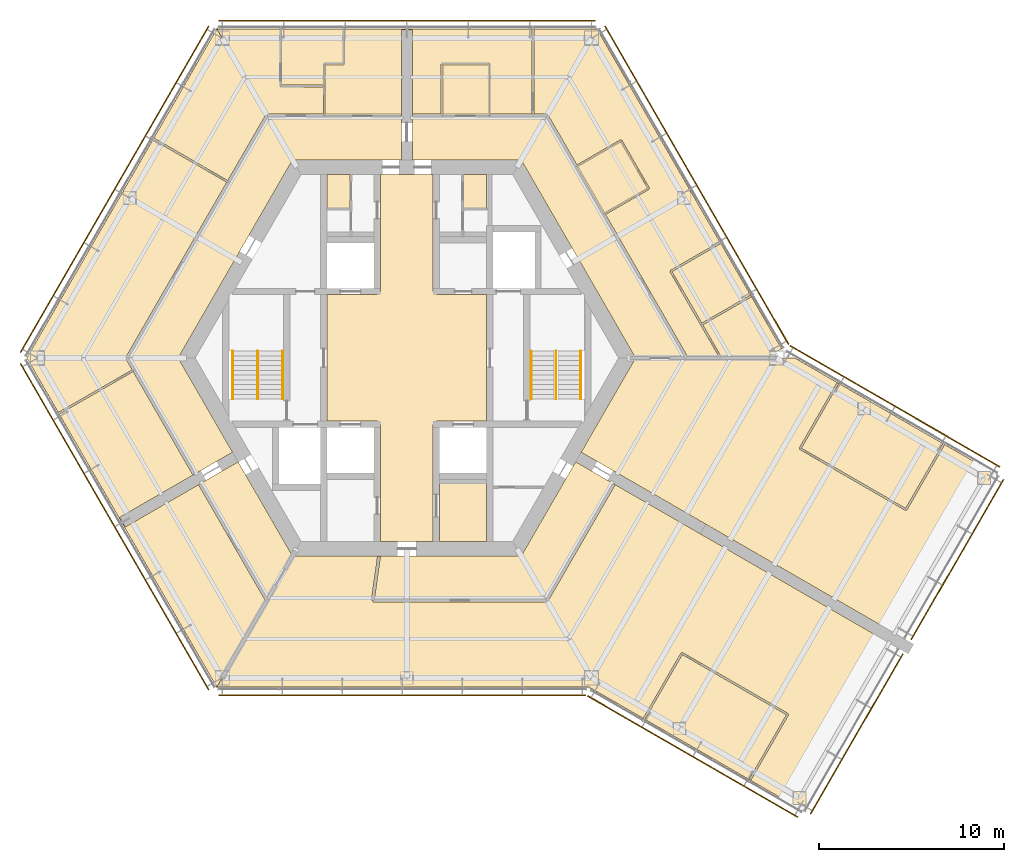
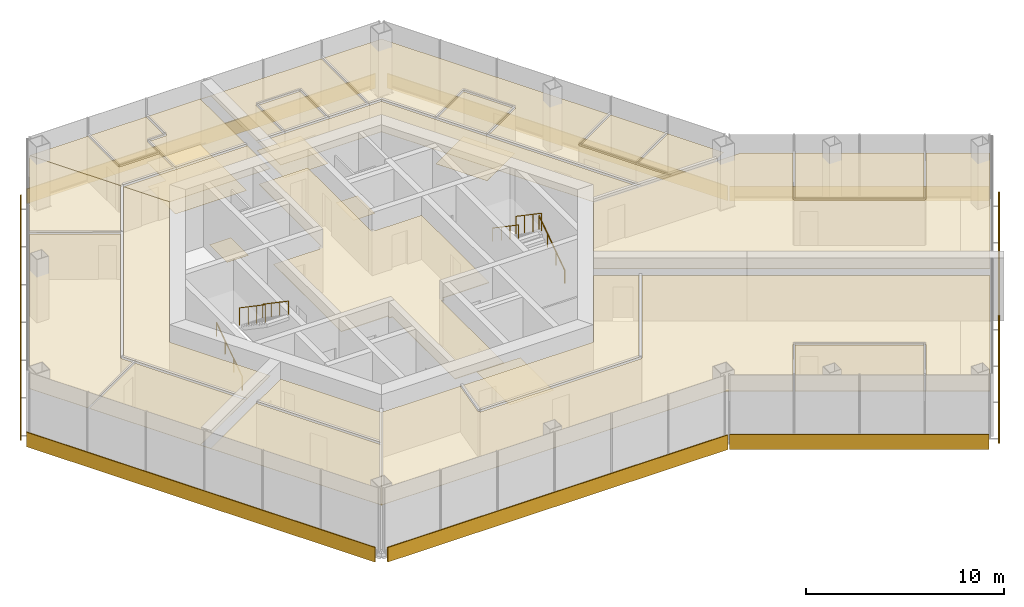
# One storey, part 14 of 14: 29 coverings, 9 shading devices, 6 railings.
"""IFC4 building model written with IfcOpenShell, lengths in metres."""

from ifc_helpers import new_model, si_unit, direction, frame, origin, origin_2d, place, context, subcontext, project, spatial, polyline, rectangle, circle, outline, extrude, material, layer, layer_set, type_object, element, save


model = new_model("IFC4")

# Units and contexts
model_context = context("Model", 3, precision=1e-05, world=origin(), true_north=direction((0.0, 1.0)))
body_context = subcontext(model_context, "Body", "Model", "MODEL_VIEW")
ifc_project = project(units=[si_unit("LENGTHUNIT", "METRE"), si_unit("AREAUNIT", "SQUARE_METRE"), si_unit("VOLUMEUNIT", "CUBIC_METRE"), si_unit("PLANEANGLEUNIT", "RADIAN"), si_unit("MASSUNIT", "GRAM", prefix="KILO")], contexts=[model_context])

# Site, building, storey
site_placement = place(None, origin())
site = spatial("IfcSite", under=ifc_project, at=site_placement, CompositionType="ELEMENT")
building_placement = place(site_placement, origin())
building = spatial("IfcBuilding", under=site, at=building_placement, Name="Kasaneha Research Tower", CompositionType="ELEMENT")
storey_placement = place(building_placement, frame((0.0, 0.0, 216.699951171875)))
storey = spatial("IfcBuildingStorey", under=building, at=storey_placement, Name="L54", CompositionType="ELEMENT", Elevation=216.699951171875)

# Covering
ifc_material_1 = material(Name="Aluminium panel ceiling", Category="aluminium")
ifc_layer_1 = layer(ifc_material_1, 0.0400390625)
ifc_layer_set_1 = layer_set([ifc_layer_1], Name="Lift lobby ceiling 40")
covering_type_1 = type_object("IfcCoveringType", Name="Lift lobby ceiling 40", PredefinedType="CEILING", material=ifc_layer_set_1)
covering_1_placement = place(storey_placement, frame((0.0, 0.0, 2.699951171875)))
element("IfcCovering", 1, at=covering_1_placement, inside=storey, type_object=covering_type_1, Name="Ceiling L54-01", PredefinedType="CEILING", context=body_context, shape_type="SweptSolid", body=[
    extrude(outline(polyline([(1.425048828125, 9.925048828125), (1.425048828125, 3.60009765625), (1.60009765625, 3.60009765625), (1.60009765625, 3.425048828125), (4.324951171875, 3.425048828125), (4.324951171875, -3.425048828125), (1.60009765625, -3.425048828125), (1.60009765625, -3.60009765625), (1.425048828125, -3.60009765625), (1.425048828125, -9.925048828125), (-1.425048828125, -9.925048828125), (-1.425048828125, -3.60009765625), (-1.60009765625, -3.60009765625), (-1.60009765625, -3.425048828125), (-4.324951171875, -3.425048828125), (-4.324951171875, 3.425048828125), (-1.60009765625, 3.425048828125), (-1.60009765625, 3.60009765625), (-1.425048828125, 3.60009765625), (-1.425048828125, 9.925048828125), (1.425048828125, 9.925048828125)])), origin(), (0.0, 0.0, 1.0), 0.0400390625),
])

# Railings
ifc_material_2 = material(Name="Steel", Category="steel")
railing_type_1 = type_object("IfcRailingType", Name="Stair balustrade 1100", PredefinedType="GUARDRAIL", material=ifc_material_2)
for number, where, name in (
    (2, (8.074951171875, 0.375, 2.12744140625), "Stair 1 balustrade L54"),
    (3, (-8.074951171875, 0.375, 2.12744140625), "Stair 2 balustrade L54"),
):
    element("IfcRailing", number, at=place(storey_placement, frame(where)), inside=storey, type_object=railing_type_1, Name=name, PredefinedType="GUARDRAIL", context=body_context, shape_type="SweptSolid", body=[
        extrude(circle(Radius=0.02392578125, at=origin_2d()), frame((0.0, 0.0, 1.076171875), z_axis=(0.0, -0.826240473404, 0.563317565952), x_axis=(1.0, 0.0, 0.0)), (0.0, 0.0, 1.0), 3.14697265625),
        extrude(circle(Radius=0.02099609375, at=origin_2d()), origin(), (0.0, 0.0, 1.0), 1.052001953125),
        extrude(circle(Radius=0.02099609375, at=origin_2d()), frame((0.0, -0.86669921875, 0.5908203125)), (0.0, 0.0, 1.0), 1.052001953125),
        extrude(circle(Radius=0.02099609375, at=origin_2d()), frame((0.0, -1.7333984375, 1.181884765625)), (0.0, 0.0, 1.0), 1.052001953125),
        extrude(circle(Radius=0.02099609375, at=origin_2d()), frame((0.0, -2.60009765625, 1.772705078125)), (0.0, 0.0, 1.0), 1.052001953125),
    ])
ifc_material_3 = material(Name="Steel", Category="steel")
railing_type_2 = type_object("IfcRailingType", Name="Stair handrail 850", PredefinedType="HANDRAIL", material=ifc_material_3)
railing_1_placement = place(storey_placement, frame((9.425048828125, -2.22509765625, 0.17724609375)))
element("IfcRailing", 4, at=railing_1_placement, inside=storey, type_object=railing_type_2, Name="Stair 1 handrail L54", PredefinedType="HANDRAIL", context=body_context, shape_type="SweptSolid", body=[
    extrude(circle(Radius=0.02392578125, at=origin_2d()), frame((0.0, 0.0, 0.826171875), z_axis=(0.0, 0.826240473404, 0.563317565952), x_axis=(-1.0, 0.0, 0.0)), (0.0, 0.0, 1.0), 3.14697265625),
    extrude(circle(Radius=0.02099609375, at=origin_2d()), origin(), (0.0, 0.0, 1.0), 0.802001953125),
    extrude(circle(Radius=0.02099609375, at=origin_2d()), frame((0.0, 0.86669921875, 0.5908203125)), (0.0, 0.0, 1.0), 0.802001953125),
    extrude(circle(Radius=0.02099609375, at=origin_2d()), frame((0.0, 1.7333984375, 1.181884765625)), (0.0, 0.0, 1.0), 0.802001953125),
    extrude(circle(Radius=0.02099609375, at=origin_2d()), frame((0.0, 2.60009765625, 1.772705078125)), (0.0, 0.0, 1.0), 0.802001953125),
])
railing_2_placement = place(storey_placement, frame((6.72509765625, 0.375, 2.12744140625)))
element("IfcRailing", 5, at=railing_2_placement, inside=storey, type_object=railing_type_2, Name="Stair 1 handrail L54", PredefinedType="HANDRAIL", context=body_context, shape_type="SweptSolid", body=[
    extrude(circle(Radius=0.02392578125, at=origin_2d()), frame((0.0, 0.0, 0.826171875), z_axis=(0.0, -0.826240473404, 0.563317565952), x_axis=(1.0, 0.0, 0.0)), (0.0, 0.0, 1.0), 3.14697265625),
    extrude(circle(Radius=0.02099609375, at=origin_2d()), origin(), (0.0, 0.0, 1.0), 0.802001953125),
    extrude(circle(Radius=0.02099609375, at=origin_2d()), frame((0.0, -0.86669921875, 0.5908203125)), (0.0, 0.0, 1.0), 0.802001953125),
    extrude(circle(Radius=0.02099609375, at=origin_2d()), frame((0.0, -1.7333984375, 1.181884765625)), (0.0, 0.0, 1.0), 0.802001953125),
    extrude(circle(Radius=0.02099609375, at=origin_2d()), frame((0.0, -2.60009765625, 1.772705078125)), (0.0, 0.0, 1.0), 0.802001953125),
])
railing_3_placement = place(storey_placement, frame((-9.425048828125, -2.22509765625, 0.17724609375)))
element("IfcRailing", 6, at=railing_3_placement, inside=storey, type_object=railing_type_2, Name="Stair 2 handrail L54", PredefinedType="HANDRAIL", context=body_context, shape_type="SweptSolid", body=[
    extrude(circle(Radius=0.02392578125, at=origin_2d()), frame((0.0, 0.0, 0.826171875), z_axis=(0.0, 0.826240473404, 0.563317565952), x_axis=(-1.0, 0.0, 0.0)), (0.0, 0.0, 1.0), 3.14697265625),
    extrude(circle(Radius=0.02099609375, at=origin_2d()), origin(), (0.0, 0.0, 1.0), 0.802001953125),
    extrude(circle(Radius=0.02099609375, at=origin_2d()), frame((0.0, 0.86669921875, 0.5908203125)), (0.0, 0.0, 1.0), 0.802001953125),
    extrude(circle(Radius=0.02099609375, at=origin_2d()), frame((0.0, 1.7333984375, 1.181884765625)), (0.0, 0.0, 1.0), 0.802001953125),
    extrude(circle(Radius=0.02099609375, at=origin_2d()), frame((0.0, 2.60009765625, 1.772705078125)), (0.0, 0.0, 1.0), 0.802001953125),
])
railing_4_placement = place(storey_placement, frame((-6.72509765625, 0.375, 2.12744140625)))
element("IfcRailing", 7, at=railing_4_placement, inside=storey, type_object=railing_type_2, Name="Stair 2 handrail L54", PredefinedType="HANDRAIL", context=body_context, shape_type="SweptSolid", body=[
    extrude(circle(Radius=0.02392578125, at=origin_2d()), frame((0.0, 0.0, 0.826171875), z_axis=(0.0, -0.826240473404, 0.563317565952), x_axis=(1.0, 0.0, 0.0)), (0.0, 0.0, 1.0), 3.14697265625),
    extrude(circle(Radius=0.02099609375, at=origin_2d()), origin(), (0.0, 0.0, 1.0), 0.802001953125),
    extrude(circle(Radius=0.02099609375, at=origin_2d()), frame((0.0, -0.86669921875, 0.5908203125)), (0.0, 0.0, 1.0), 0.802001953125),
    extrude(circle(Radius=0.02099609375, at=origin_2d()), frame((0.0, -1.7333984375, 1.181884765625)), (0.0, 0.0, 1.0), 0.802001953125),
    extrude(circle(Radius=0.02099609375, at=origin_2d()), frame((0.0, -2.60009765625, 1.772705078125)), (0.0, 0.0, 1.0), 0.802001953125),
])

# Coverings
ifc_material_4 = material(Name="Gypsum ceiling board", Category="gypsum")
ifc_layer_2 = layer(ifc_material_4, 0.02001953125)
ifc_layer_set_2 = layer_set([ifc_layer_2], Name="Suspended ceiling 20")
covering_type_2 = type_object("IfcCoveringType", Name="Suspended ceiling 20", PredefinedType="CEILING", material=ifc_layer_set_2)
covering_2_placement = place(storey_placement, frame((0.0, 0.0, 2.800048828125)))
element("IfcCovering", 8, at=covering_2_placement, inside=storey, type_object=covering_type_2, Name="Ceiling L54-27", PredefinedType="CEILING", context=body_context, shape_type="SweptSolid", body=[
    extrude(outline(polyline([(6.192138671875, 10.72509765625), (0.300048828125, 10.72509765625), (0.300048828125, 11.72509765625), (0.300048828125, 12.72509765625), (0.300048828125, 13.125), (0.320068359375, 13.125), (0.320068359375, 13.050048828125), (1.89501953125, 13.050048828125), (1.905029296875, 13.050048828125), (4.4599609375, 13.050048828125), (4.469970703125, 13.050048828125), (6.826416015625, 13.050048828125), (6.8359375, 13.050048828125), (7.534423828125, 13.050048828125), (9.103759765625, 10.33154296875), (9.103759765625, 10.33154296875), (10.599365234375, 7.7412109375), (10.599365234375, 7.7412109375), (15.06884765625, 0.0), (12.38427734375, 0.0), (6.192138671875, 10.72509765625)])), origin(), (0.0, 0.0, 1.0), 0.02001953125),
])
covering_3_placement = place(storey_placement, frame((0.0, 0.0, 2.800048828125)))
element("IfcCovering", 9, at=covering_3_placement, inside=storey, type_object=covering_type_2, Name="Ceiling L54-28", PredefinedType="CEILING", context=body_context, shape_type="SweptSolid", body=[
    extrude(outline(polyline([(4.41015625, 13.199951171875), (1.954833984375, 13.199951171875), (1.9501953125, 15.875), (4.414794921875, 15.875), (4.41015625, 13.199951171875)])), origin(), (0.0, 0.0, 1.0), 0.02001953125),
])
covering_4_placement = place(storey_placement, frame((0.0, 0.0, 2.800048828125)))
element("IfcCovering", 10, at=covering_4_placement, inside=storey, type_object=covering_type_2, Name="Ceiling L54-29", PredefinedType="CEILING", context=body_context, shape_type="SweptSolid", body=[
    extrude(outline(polyline([(9.2587890625, 10.363525390625), (11.5732421875, 11.70458984375), (13.023193359375, 9.193359375), (10.704345703125, 7.859619140625), (9.2587890625, 10.363525390625)])), origin(), (0.0, 0.0, 1.0), 0.02001953125),
])
covering_5_placement = place(storey_placement, frame((0.0, 0.0, 2.800048828125)))
element("IfcCovering", 11, at=covering_5_placement, inside=storey, type_object=covering_type_2, Name="Ceiling L54-30", PredefinedType="CEILING", context=body_context, shape_type="SweptSolid", body=[
    extrude(outline(polyline([(6.8310546875, 17.820556640625), (6.8310546875, 17.800537109375), (6.781005859375, 17.800537109375), (6.776611328125, 13.199951171875), (4.510009765625, 13.199951171875), (4.514892578125, 15.9248046875), (4.465087890625, 15.925048828125), (4.465087890625, 15.97509765625), (1.89990234375, 15.97509765625), (1.89990234375, 15.925048828125), (1.85009765625, 15.9248046875), (1.85498046875, 13.199951171875), (0.320068359375, 13.199951171875), (0.320068359375, 13.125), (0.300048828125, 13.125), (0.300048828125, 17.7705078125), (0.300048828125, 17.7705078125), (0.0, 17.7705078125), (0.0, 17.820556640625), (6.8310546875, 17.820556640625)])), origin(), (0.0, 0.0, 1.0), 0.02001953125),
])
covering_6_placement = place(storey_placement, frame((0.0, 0.0, 2.800048828125)))
element("IfcCovering", 12, at=covering_6_placement, inside=storey, type_object=covering_type_2, Name="Ceiling L54-31", PredefinedType="CEILING", context=body_context, shape_type="SweptSolid", body=[
    extrude(outline(polyline([(18.63720703125, 3.360595703125), (18.619873046875, 3.3505859375), (18.594970703125, 3.393798828125), (15.97216796875, 1.88525390625), (14.35546875, 4.677001953125), (16.99658203125, 6.201904296875), (18.63720703125, 3.360595703125)])), origin(), (0.0, 0.0, 1.0), 0.02001953125),
])
covering_7_placement = place(storey_placement, frame((0.0, 0.0, 2.800048828125)))
element("IfcCovering", 13, at=covering_7_placement, inside=storey, type_object=covering_type_2, Name="Ceiling L54-32", PredefinedType="CEILING", context=body_context, shape_type="SweptSolid", body=[
    extrude(outline(polyline([(20.28759765625, 0.501708984375), (19.41845703125, 0.0), (16.997802734375, 0.0), (16.986328125, 0.02001953125), (17.029541015625, 0.044921875), (16.022216796875, 1.798583984375), (18.644775390625, 3.30712890625), (18.619873046875, 3.3505859375), (18.63720703125, 3.360595703125), (20.28759765625, 0.501708984375)])), origin(), (0.0, 0.0, 1.0), 0.02001953125),
])
covering_8_placement = place(storey_placement, frame((0.0, 0.0, 2.800048828125)))
element("IfcCovering", 14, at=covering_8_placement, inside=storey, type_object=covering_type_2, Name="Ceiling L54-33", PredefinedType="CEILING", context=body_context, shape_type="SweptSolid", body=[
    extrude(outline(polyline([(11.591796875, 11.7734375), (11.59130859375, 11.773193359375), (11.56640625, 11.816162109375), (9.208740234375, 10.449951171875), (7.642578125, 13.16259765625), (7.578125, 13.125244140625), (7.578125, 13.125244140625), (7.57763671875, 13.125244140625), (7.57763671875, 13.199951171875), (6.87646484375, 13.199951171875), (6.880859375, 17.800537109375), (6.83154296875, 17.800537109375), (6.83154296875, 17.820556640625), (10.28857421875, 17.820556640625), (16.94677734375, 6.28857421875), (14.261962890625, 4.738525390625), (14.286865234375, 4.695556640625), (14.28662109375, 4.6953125), (14.28662109375, 4.695068359375), (14.24365234375, 4.670166015625), (15.9130859375, 1.787841796875), (16.93994140625, 0.0), (15.156005859375, 0.0), (15.144287109375, 0.020263671875), (15.208740234375, 0.0576171875), (10.75439453125, 7.77294921875), (13.116455078125, 9.131591796875), (13.091552734375, 9.1748046875), (13.134765625, 9.199951171875), (11.634765625, 11.798095703125), (11.591796875, 11.773193359375), (11.591796875, 11.7734375)])), origin(), (0.0, 0.0, 1.0), 0.02001953125),
])
covering_9_placement = place(storey_placement, frame((0.0, 0.0, 2.800048828125)))
element("IfcCovering", 15, at=covering_9_placement, inside=storey, type_object=covering_type_2, Name="Ceiling L54-34", PredefinedType="CEILING", context=body_context, shape_type="SweptSolid", body=[
    extrude(outline(polyline([(-0.300048828125, 11.72509765625), (-0.300048828125, 10.72509765625), (-6.192138671875, 10.72509765625), (-7.534423828125, 13.050048828125), (-4.469970703125, 13.050048828125), (-4.46044921875, 13.050048828125), (-0.320068359375, 13.050048828125), (-0.320068359375, 13.125), (-0.300048828125, 13.125), (-0.300048828125, 12.72509765625), (-0.300048828125, 11.72509765625)])), origin(), (0.0, 0.0, 1.0), 0.02001953125),
])
covering_10_placement = place(storey_placement, frame((0.0, 0.0, 2.800048828125)))
element("IfcCovering", 16, at=covering_10_placement, inside=storey, type_object=covering_type_2, Name="Ceiling L54-35", PredefinedType="CEILING", context=body_context, shape_type="SweptSolid", body=[
    extrude(outline(polyline([(0.000244140625, 17.82080078125), (0.0, 17.7705078125), (-0.300048828125, 17.7705078125), (-0.300048828125, 13.125244140625), (-0.320068359375, 13.125244140625), (-0.320068359375, 13.199951171875), (-4.41064453125, 13.199951171875), (-4.4150390625, 14.72509765625), (-4.4150390625, 15.875), (-3.4150390625, 15.875), (-3.4150390625, 15.925048828125), (-3.4150390625, 15.925048828125), (-3.4150390625, 15.925048828125), (-3.364990234375, 15.925048828125), (-3.365234375, 17.800537109375), (-3.415283203125, 17.800537109375), (-3.415283203125, 17.821044921875), (0.000244140625, 17.82080078125)])), origin(), (0.0, 0.0, 1.0), 0.02001953125),
])
covering_11_placement = place(storey_placement, frame((0.0, 0.0, 2.800048828125)))
element("IfcCovering", 17, at=covering_11_placement, inside=storey, type_object=covering_type_2, Name="Ceiling L54-36", PredefinedType="CEILING", context=body_context, shape_type="SweptSolid", body=[
    extrude(outline(polyline([(-3.41552734375, 17.820556640625), (-3.41552734375, 17.800537109375), (-3.465087890625, 17.800537109375), (-3.465087890625, 15.97509765625), (-4.465087890625, 15.97509765625), (-4.465087890625, 15.925048828125), (-4.514892578125, 15.925048828125), (-4.514892578125, 14.77490234375), (-6.781005859375, 14.7705078125), (-6.781005859375, 17.800537109375), (-6.8310546875, 17.800537109375), (-6.8310546875, 17.820556640625), (-3.41552734375, 17.820556640625)])), origin(), (0.0, 0.0, 1.0), 0.02001953125),
])
covering_12_placement = place(storey_placement, frame((0.0, 0.0, 2.800048828125)))
element("IfcCovering", 18, at=covering_12_placement, inside=storey, type_object=covering_type_2, Name="Ceiling L54-37", PredefinedType="CEILING", context=body_context, shape_type="SweptSolid", body=[
    extrude(outline(polyline([(-6.83154296875, 17.800537109375), (-6.880859375, 17.800537109375), (-6.880859375, 14.720458984375), (-6.831298828125, 14.720458984375), (-6.831298828125, 14.72021484375), (-6.830810546875, 14.72021484375), (-6.830810546875, 14.67041015625), (-4.514892578125, 14.6748046875), (-4.5107421875, 13.199951171875), (-7.5546875, 13.199951171875), (-7.5546875, 13.12548828125), (-7.577880859375, 13.12548828125), (-10.28857421875, 17.820556640625), (-6.83154296875, 17.820556640625), (-6.83154296875, 17.800537109375)])), origin(), (0.0, 0.0, 1.0), 0.02001953125),
])
covering_13_placement = place(storey_placement, frame((0.0, 0.0, 2.800048828125)))
element("IfcCovering", 19, at=covering_13_placement, inside=storey, type_object=covering_type_2, Name="Ceiling L54-38", PredefinedType="CEILING", context=body_context, shape_type="SweptSolid", body=[
    extrude(outline(polyline([(-12.38427734375, 0.0), (-9.438232421875, -5.102783203125), (-10.30419921875, -5.602783203125), (-10.30419921875, -5.602783203125), (-11.170166015625, -6.102783203125), (-11.170166015625, -6.102783203125), (-11.5166015625, -6.302734375), (-11.526611328125, -6.285400390625), (-11.461669921875, -6.247802734375), (-14.71484375, -0.613037109375), (-14.71484375, -0.613037109375), (-15.06884765625, 0.0), (-9.596435546875, 9.478515625), (-9.596435546875, 9.478515625), (-7.534423828125, 13.050048828125), (-7.534423828125, 13.050048828125), (-6.192138671875, 10.72509765625), (-12.38427734375, 0.0)])), origin(), (0.0, 0.0, 1.0), 0.02001953125),
])
covering_14_placement = place(storey_placement, frame((0.0, 0.0, 2.800048828125)))
element("IfcCovering", 20, at=covering_14_placement, inside=storey, type_object=covering_type_2, Name="Ceiling L54-39", PredefinedType="CEILING", context=body_context, shape_type="SweptSolid", body=[
    extrude(outline(polyline([(-7.577392578125, 13.12548828125), (-7.58935546875, 13.10498046875), (-7.654296875, 13.142578125), (-9.696533203125, 9.60498046875), (-13.7001953125, 11.911376953125), (-10.288330078125, 17.821044921875), (-7.577392578125, 13.12548828125)])), origin(), (0.0, 0.0, 1.0), 0.02001953125),
])
covering_15_placement = place(storey_placement, frame((0.0, 0.0, 2.800048828125)))
element("IfcCovering", 21, at=covering_15_placement, inside=storey, type_object=covering_type_2, Name="Ceiling L54-40", PredefinedType="CEILING", context=body_context, shape_type="SweptSolid", body=[
    extrude(outline(polyline([(-15.539794921875, -8.62548828125), (-15.3896484375, -8.88525390625), (-15.43310546875, -8.91015625), (-18.823486328125, -3.037841796875), (-14.81982421875, -0.7314453125), (-11.591552734375, -6.322998046875), (-11.526611328125, -6.285400390625), (-11.5166015625, -6.302734375), (-15.539794921875, -8.62548828125), (-15.539794921875, -8.62548828125), (-15.539794921875, -8.62548828125)])), origin(), (0.0, 0.0, 1.0), 0.02001953125),
])
covering_16_placement = place(storey_placement, frame((0.0, 0.0, 2.800048828125)))
element("IfcCovering", 22, at=covering_16_placement, inside=storey, type_object=covering_type_2, Name="Ceiling L54-41", PredefinedType="CEILING", context=body_context, shape_type="SweptSolid", body=[
    extrude(outline(polyline([(-15.156005859375, 0.000244140625), (-15.15576171875, -0.000244140625), (-15.220458984375, -0.03759765625), (-14.869873046875, -0.644775390625), (-18.87353515625, -2.951171875), (-20.577392578125, 0.0), (-13.750244140625, 11.82470703125), (-9.74658203125, 9.5185546875), (-15.220458984375, 0.03759765625), (-15.15576171875, 0.000244140625), (-15.156005859375, 0.000244140625)])), origin(), (0.0, 0.0, 1.0), 0.02001953125),
])
covering_17_placement = place(storey_placement, frame((0.0, 0.0, 2.800048828125)))
element("IfcCovering", 23, at=covering_17_placement, inside=storey, type_object=covering_type_2, Name="Ceiling L54-42", PredefinedType="CEILING", context=body_context, shape_type="SweptSolid", body=[
    extrude(outline(polyline([(-10.8701171875, -6.622314453125), (-10.004150390625, -6.122314453125), (-10.004150390625, -6.122314453125), (-9.13818359375, -5.622314453125), (-6.192138671875, -10.72509765625), (-7.534423828125, -13.050048828125), (-11.1416015625, -6.802001953125), (-11.20654296875, -6.839599609375), (-11.216552734375, -6.822265625), (-10.8701171875, -6.622314453125), (-10.8701171875, -6.622314453125)])), origin(), (0.0, 0.0, 1.0), 0.02001953125),
])
covering_18_placement = place(storey_placement, frame((0.0, 0.0, 2.800048828125)))
element("IfcCovering", 24, at=covering_18_placement, inside=storey, type_object=covering_type_2, Name="Ceiling L54-43", PredefinedType="CEILING", context=body_context, shape_type="SweptSolid", body=[
    extrude(outline(polyline([(-11.20703125, -6.83984375), (-11.271484375, -6.877197265625), (-7.654296875, -13.142578125), (-7.589599609375, -13.105224609375), (-7.577880859375, -13.12548828125), (-10.28857421875, -17.820556640625), (-15.43310546875, -8.91015625), (-15.3896484375, -8.88525390625), (-15.23974609375, -9.14501953125), (-15.23974609375, -9.14501953125), (-15.23974609375, -9.14501953125), (-11.217041015625, -6.822509765625), (-11.20703125, -6.83984375)])), origin(), (0.0, 0.0, 1.0), 0.02001953125),
])
covering_19_placement = place(storey_placement, frame((0.0, 0.0, 2.800048828125)))
element("IfcCovering", 25, at=covering_19_placement, inside=storey, type_object=covering_type_2, Name="Ceiling L54-44", PredefinedType="CEILING", context=body_context, shape_type="SweptSolid", body=[
    extrude(outline(polyline([(29.03173828125, -4.63720703125), (27.006591796875, -8.14453125), (21.360595703125, -4.884765625), (23.37548828125, -1.39453125), (23.332275390625, -1.36962890625), (23.34228515625, -1.352294921875), (29.03173828125, -4.63720703125)])), origin(), (0.0, 0.0, 1.0), 0.02001953125),
])
covering_20_placement = place(storey_placement, frame((0.0, 0.0, 2.800048828125)))
element("IfcCovering", 26, at=covering_20_placement, inside=storey, type_object=covering_type_2, Name="Ceiling L54-45", PredefinedType="CEILING", context=body_context, shape_type="SweptSolid", body=[
    extrude(outline(polyline([(10.30419921875, -5.602783203125), (10.30419921875, -5.602783203125), (9.438232421875, -5.102783203125), (12.38427734375, 0.0), (15.06884765625, 0.0), (15.078857421875, -0.017578125), (15.109375, 0.0), (16.93994140625, 0.0), (16.94287109375, -0.0048828125), (16.951416015625, 0.0), (21.0, 0.0), (23.341796875, -1.35205078125), (23.331787109375, -1.369384765625), (23.288818359375, -1.344482421875), (21.248779296875, -4.8779296875), (21.2919921875, -4.90283203125), (21.291748046875, -4.9033203125), (21.2919921875, -4.9033203125), (21.26708984375, -4.9462890625), (27.0, -8.256103515625), (27.02490234375, -8.212890625), (27.068359375, -8.23779296875), (29.1181640625, -4.68701171875), (31.94140625, -6.31689453125), (26.84130859375, -15.150390625), (11.170166015625, -6.102783203125), (11.170166015625, -6.102783203125), (10.30419921875, -5.602783203125)])), origin(), (0.0, 0.0, 1.0), 0.02001953125),
])
covering_21_placement = place(storey_placement, frame((0.0, 0.0, 2.800048828125)))
element("IfcCovering", 27, at=covering_21_placement, inside=storey, type_object=covering_type_2, Name="Ceiling L54-46", PredefinedType="CEILING", context=body_context, shape_type="SweptSolid", body=[
    extrude(outline(polyline([(9.13818359375, -5.622314453125), (10.004150390625, -6.122314453125), (10.004150390625, -6.122314453125), (10.8701171875, -6.622314453125), (10.8701171875, -6.622314453125), (11.216552734375, -6.822265625), (11.20654296875, -6.839599609375), (11.1416015625, -6.802001953125), (7.534423828125, -13.050048828125), (-1.75830078125, -13.050048828125), (-1.435791015625, -10.75537109375), (-1.510009765625, -10.7451171875), (-1.50732421875, -10.72509765625), (6.192138671875, -10.72509765625), (9.13818359375, -5.622314453125)])), origin(), (0.0, 0.0, 1.0), 0.02001953125),
])
covering_22_placement = place(storey_placement, frame((0.0, 0.0, 2.800048828125)))
element("IfcCovering", 28, at=covering_22_placement, inside=storey, type_object=covering_type_2, Name="Ceiling L54-47", PredefinedType="CEILING", context=body_context, shape_type="SweptSolid", body=[
    extrude(outline(polyline([(12.885498046875, -19.563720703125), (14.910400390625, -16.056396484375), (20.556640625, -19.316162109375), (18.541748046875, -22.806396484375), (18.5849609375, -22.831298828125), (18.574951171875, -22.8486328125), (12.885498046875, -19.563720703125)])), origin(), (0.0, 0.0, 1.0), 0.02001953125),
])
covering_23_placement = place(storey_placement, frame((0.0, 0.0, 2.800048828125)))
element("IfcCovering", 29, at=covering_23_placement, inside=storey, type_object=covering_type_2, Name="Ceiling L54-48", PredefinedType="CEILING", context=body_context, shape_type="SweptSolid", body=[
    extrude(outline(polyline([(-1.5078125, -10.72509765625), (-1.510498046875, -10.744873046875), (-1.58447265625, -10.734619140625), (-1.9189453125, -13.114501953125), (-1.8447265625, -13.125), (-1.8447265625, -13.12548828125), (-1.844482421875, -13.12548828125), (-1.844482421875, -13.199951171875), (7.57763671875, -13.199951171875), (7.57763671875, -13.12548828125), (7.577880859375, -13.12548828125), (7.577880859375, -13.125244140625), (7.642578125, -13.16259765625), (11.271484375, -6.877197265625), (11.20703125, -6.83984375), (11.217041015625, -6.822509765625), (26.541259765625, -15.670166015625), (21.44140625, -24.50341796875), (18.575439453125, -22.848876953125), (18.58544921875, -22.83154296875), (18.62841796875, -22.856201171875), (20.668212890625, -19.322998046875), (20.625244140625, -19.298095703125), (20.625244140625, -19.297607421875), (20.625244140625, -19.297607421875), (20.64990234375, -19.254638671875), (14.917236328125, -15.94482421875), (14.892333984375, -15.98779296875), (14.892333984375, -15.987548828125), (14.89208984375, -15.988037109375), (14.848876953125, -15.963134765625), (12.798828125, -19.513916015625), (9.865966796875, -17.820556640625), (-10.28857421875, -17.820556640625), (-7.5546875, -13.0849609375), (-7.5244140625, -13.0673828125), (-7.534423828125, -13.050048828125), (-6.192138671875, -10.72509765625), (-1.5078125, -10.72509765625)])), origin(), (0.0, 0.0, 1.0), 0.02001953125),
])

# Shading devices
ifc_material_5 = material(Name="Terracotta", Category="masonry")
ifc_layer_3 = layer(ifc_material_5, 0.06005859375)
ifc_layer_set_3 = layer_set([ifc_layer_3], Name="Terracotta baguette screen")
shading_device_type = type_object("IfcShadingDeviceType", Name="Terracotta baguette screen", PredefinedType="USERDEFINED", material=ifc_layer_set_3)
shading_device_1_placement = place(storey_placement, frame((15.696044921875, 9.35498046875, -0.449951171875), z_axis=(0.0, 0.0, 1.0), x_axis=(-0.499999979232, 0.866025415775, 0.0)))
element("IfcShadingDevice", 30, at=shading_device_1_placement, inside=storey, type_object=shading_device_type, Name="Baguette screen L54 01", ObjectType="TERRACOTTA BAGUETTE SCREEN", PredefinedType="USERDEFINED", context=body_context, shape_type="SweptSolid", body=[
    extrude(rectangle(XDim=19.8857421875, YDim=0.06005859375, at=origin_2d()), origin(), (0.0, 0.0, 1.0), 0.89990234375),
])
for number, where, z_axis, x_axis, name in (
    (31, (0.0, 18.2705078125, -0.449951171875), (0.0, 0.0, 1.0), (-1.0, 0.0, 0.0), "Baguette screen L54 02"),
    (32, (-15.82275390625, 9.13525390625, -0.449951171875), (0.0, 0.0, 1.0), (-0.499999995722, -0.866025406254, 0.0), "Baguette screen L54 03"),
    (33, (-15.82275390625, -9.13525390625, -0.449951171875), (0.0, 0.0, 1.0), (0.499999995722, -0.866025406254, 0.0), "Baguette screen L54 04"),
):
    element("IfcShadingDevice", number, at=place(storey_placement, frame(where, z_axis=z_axis, x_axis=x_axis)), inside=storey, type_object=shading_device_type, Name=name, ObjectType="TERRACOTTA BAGUETTE SCREEN", PredefinedType="USERDEFINED", context=body_context, shape_type="SweptSolid", body=[
        extrude(rectangle(XDim=20.392822265625, YDim=0.06005859375, at=origin_2d()), origin(), (0.0, 0.0, 1.0), 0.89990234375),
    ])
shading_device_2_placement = place(storey_placement, frame((-0.253662109375, -18.2705078125, -0.449951171875), z_axis=(0.0, 0.0, 1.0), x_axis=(1.0, 0.0, 0.0)))
element("IfcShadingDevice", 34, at=shading_device_2_placement, inside=storey, type_object=shading_device_type, Name="Baguette screen L54 05", ObjectType="TERRACOTTA BAGUETTE SCREEN", PredefinedType="USERDEFINED", context=body_context, shape_type="SweptSolid", body=[
    extrude(rectangle(XDim=19.8857421875, YDim=0.06005859375, at=origin_2d()), origin(), (0.0, 0.0, 1.0), 0.89990234375),
])
shading_device_3_placement = place(storey_placement, frame((15.483642578125, -21.58349609375, -0.449951171875), z_axis=(0.0, 0.0, 1.0), x_axis=(0.866025411464, -0.499999986699, 0.0)))
element("IfcShadingDevice", 35, at=shading_device_3_placement, inside=storey, type_object=shading_device_type, Name="Baguette screen L54 06", ObjectType="TERRACOTTA BAGUETTE SCREEN", PredefinedType="USERDEFINED", context=body_context, shape_type="SweptSolid", body=[
    extrude(rectangle(XDim=13.13916015625, YDim=0.06005859375, at=origin_2d()), origin(), (0.0, 0.0, 1.0), 0.89990234375),
])
for number, where, z_axis, x_axis, name in (
    (36, (24.35595703125, -20.35498046875, -0.449951171875), (0.0, 0.0, 1.0), (0.500000011442, 0.866025397178, 0.0), "Baguette screen L54 07"),
    (37, (29.80615234375, -10.91552734375, -0.449951171875), (0.0, 0.0, 1.0), (0.500000011442, 0.866025397178, 0.0), "Baguette screen L54 08"),
):
    element("IfcShadingDevice", number, at=place(storey_placement, frame(where, z_axis=z_axis, x_axis=x_axis)), inside=storey, type_object=shading_device_type, Name=name, ObjectType="TERRACOTTA BAGUETTE SCREEN", PredefinedType="USERDEFINED", context=body_context, shape_type="SweptSolid", body=[
        extrude(rectangle(XDim=10.0, YDim=0.06005859375, at=origin_2d()), origin(), (0.0, 0.0, 1.0), 0.89990234375),
    ])
shading_device_4_placement = place(storey_placement, frame((26.43359375, -2.617431640625, -0.449951171875), z_axis=(0.0, 0.0, 1.0), x_axis=(-0.866025411464, 0.499999986699, 0.0)))
element("IfcShadingDevice", 38, at=shading_device_4_placement, inside=storey, type_object=shading_device_type, Name="Baguette screen L54 09", ObjectType="TERRACOTTA BAGUETTE SCREEN", PredefinedType="USERDEFINED", context=body_context, shape_type="SweptSolid", body=[
    extrude(rectangle(XDim=13.13916015625, YDim=0.06005859375, at=origin_2d()), origin(), (0.0, 0.0, 1.0), 0.89990234375),
])

# Coverings
ifc_material_6 = material(Name="Vinyl sheet flooring", Category="plastic")
ifc_layer_4 = layer(ifc_material_6, 0.0048828125)
ifc_layer_set_4 = layer_set([ifc_layer_4], Name="Wet room sheet flooring 5")
covering_type_3 = type_object("IfcCoveringType", Name="Wet room sheet flooring 5", PredefinedType="FLOORING", material=ifc_layer_set_4)
covering_24_placement = place(storey_placement, origin())
element("IfcCovering", 39, at=covering_24_placement, inside=storey, type_object=covering_type_3, Name="Floor finish L54-07", PredefinedType="FLOORING", context=body_context, shape_type="SweptSolid", body=[
    extrude(outline(polyline([(-4.324951171875, 8.125), (-4.324951171875, 9.925048828125), (-3.074951171875, 9.925048828125), (-3.074951171875, 8.125), (-4.324951171875, 8.125)])), origin(), (0.0, 0.0, 1.0), 0.005126953125),
])
covering_25_placement = place(storey_placement, origin())
element("IfcCovering", 40, at=covering_25_placement, inside=storey, type_object=covering_type_3, Name="Floor finish L54-10", PredefinedType="FLOORING", context=body_context, shape_type="SweptSolid", body=[
    extrude(outline(polyline([(4.324951171875, 8.125), (3.074951171875, 8.125), (3.074951171875, 9.925048828125), (4.324951171875, 9.925048828125), (4.324951171875, 8.125)])), origin(), (0.0, 0.0, 1.0), 0.005126953125),
])
covering_26_placement = place(storey_placement, origin())
element("IfcCovering", 41, at=covering_26_placement, inside=storey, type_object=covering_type_3, Name="Floor finish L54-13", PredefinedType="FLOORING", context=body_context, shape_type="SweptSolid", body=[
    extrude(outline(polyline([(1.77490234375, -9.925048828125), (1.77490234375, -6.574951171875), (4.324951171875, -6.574951171875), (4.324951171875, -9.925048828125), (1.77490234375, -9.925048828125)])), origin(), (0.0, 0.0, 1.0), 0.005126953125),
])
covering_27_placement = place(storey_placement, origin())
element("IfcCovering", 42, at=covering_27_placement, inside=storey, type_object=covering_type_3, Name="Floor finish L54-28", PredefinedType="FLOORING", context=body_context, shape_type="SweptSolid", body=[
    extrude(outline(polyline([(1.89990234375, 15.925048828125), (4.465087890625, 15.925048828125), (4.465087890625, 13.125), (1.89990234375, 13.125), (1.89990234375, 15.925048828125)])), origin(), (0.0, 0.0, 1.0), 0.005126953125),
])
covering_28_placement = place(storey_placement, origin())
element("IfcCovering", 43, at=covering_28_placement, inside=storey, type_object=covering_type_3, Name="Floor finish L54-29", PredefinedType="FLOORING", context=body_context, shape_type="SweptSolid", body=[
    extrude(outline(polyline([(11.591552734375, 11.77294921875), (13.091552734375, 9.175048828125), (10.66650390625, 7.77490234375), (9.16650390625, 10.373046875), (11.591552734375, 11.77294921875)])), origin(), (0.0, 0.0, 1.0), 0.005126953125),
])
covering_29_placement = place(storey_placement, origin())
element("IfcCovering", 44, at=covering_29_placement, inside=storey, type_object=covering_type_3, Name="Floor finish L54-35", PredefinedType="FLOORING", context=body_context, shape_type="SweptSolid", body=[
    extrude(outline(polyline([(-3.4150390625, 15.925048828125), (-3.415283203125, 17.821044921875), (0.000244140625, 17.82080078125), (0.0, 17.77001953125), (-0.299560546875, 17.77001953125), (-0.299560546875, 13.125244140625), (-4.465087890625, 13.125), (-4.465087890625, 15.925048828125), (-3.4150390625, 15.925048828125)])), origin(), (0.0, 0.0, 1.0), 0.005126953125),
])

save(model, "model.ifc")
